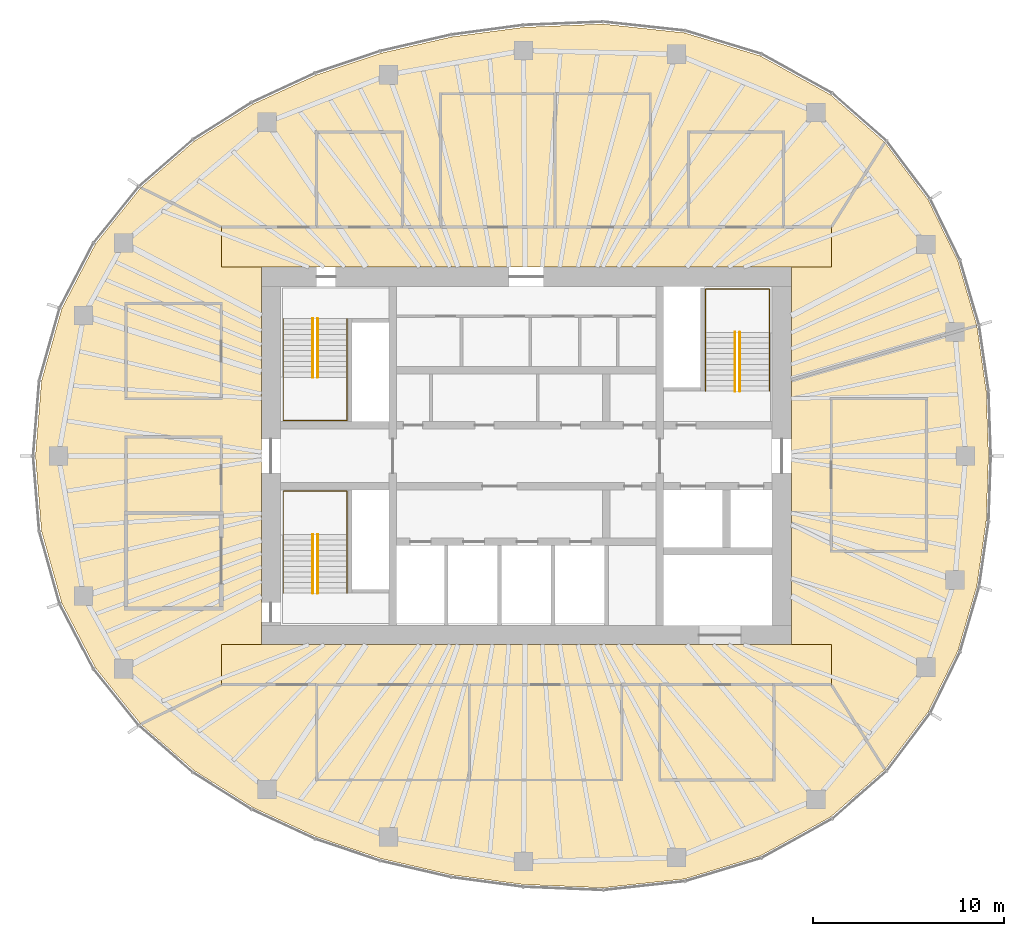
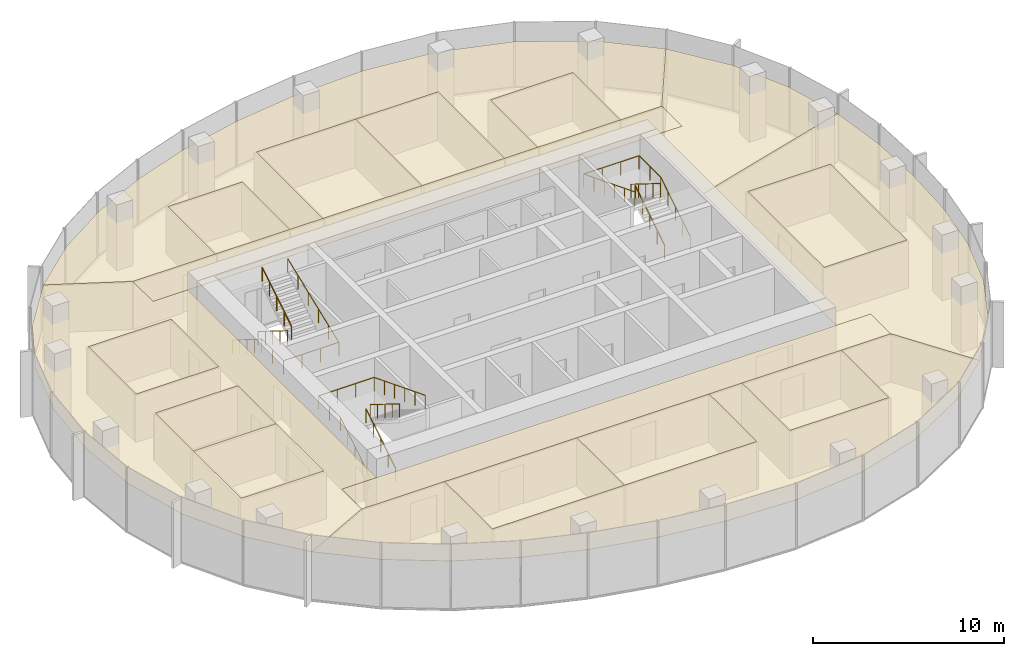
# One storey, part 11 of 11: 18 coverings, 9 railings.
"""IFC4 building model written with IfcOpenShell, lengths in metres."""

from ifc_helpers import new_model, si_unit, direction, frame, origin, origin_2d, place, context, subcontext, project, spatial, polyline, circle, outline, extrude, material, layer, layer_set, type_object, element, save


model = new_model("IFC4")

# Units and contexts
model_context = context("Model", 3, precision=1e-05, world=origin(), true_north=direction((0.0, 1.0)))
body_context = subcontext(model_context, "Body", "Model", "MODEL_VIEW")
ifc_project = project(units=[si_unit("LENGTHUNIT", "METRE"), si_unit("AREAUNIT", "SQUARE_METRE"), si_unit("VOLUMEUNIT", "CUBIC_METRE"), si_unit("PLANEANGLEUNIT", "RADIAN"), si_unit("MASSUNIT", "GRAM", prefix="KILO")], contexts=[model_context])

# Site, building, storey
site_placement = place(None, origin())
site = spatial("IfcSite", under=ifc_project, at=site_placement, CompositionType="ELEMENT")
building_placement = place(site_placement, origin())
building = spatial("IfcBuilding", under=site, at=building_placement, Name="Ghaith Harvest Tower", CompositionType="ELEMENT")
storey_placement = place(building_placement, frame((0.0, 0.0, 313.199951171875)))
storey = spatial("IfcBuildingStorey", under=building, at=storey_placement, Name="L70", CompositionType="ELEMENT", Elevation=313.199951171875)

# Coverings
ifc_material_1 = material(Name="Mineral fibre ceiling tile", Category="gypsum")
ifc_layer = layer(ifc_material_1, 0.02490234375)
ifc_layer_set = layer_set([ifc_layer], Name="CEILING C2")
covering_type = type_object("IfcCoveringType", Name="CEILING C2", PredefinedType="CEILING", material=ifc_layer_set)
covering_1_placement = place(storey_placement, frame((0.0, 0.0, 3.0)))
element("IfcCovering", 1, at=covering_1_placement, inside=storey, type_object=covering_type, Name="Ceiling L70-01", PredefinedType="CEILING", context=body_context, shape_type="SweptSolid", body=[
    extrude(outline(polyline([(-4.5, 12.0), (1.5, 12.0), (1.5, 19.0), (-4.5, 19.0), (-4.5, 12.0)])), origin(), (0.0, 0.0, 1.0), 0.025146484375),
])
covering_2_placement = place(storey_placement, frame((0.0, 0.0, 3.0)))
element("IfcCovering", 2, at=covering_2_placement, inside=storey, type_object=covering_type, Name="Ceiling L70-02", PredefinedType="CEILING", context=body_context, shape_type="SweptSolid", body=[
    extrude(outline(polyline([(1.5, 12.0), (6.5, 12.0), (6.5, 19.0), (1.5, 19.0), (1.5, 12.0)])), origin(), (0.0, 0.0, 1.0), 0.025146484375),
])
covering_3_placement = place(storey_placement, frame((0.0, 0.0, 3.0)))
element("IfcCovering", 3, at=covering_3_placement, inside=storey, type_object=covering_type, Name="Ceiling L70-03", PredefinedType="CEILING", context=body_context, shape_type="SweptSolid", body=[
    extrude(outline(polyline([(-11.0, -17.0), (-3.0, -17.0), (-3.0, -12.0), (-11.0, -12.0), (-11.0, -17.0)])), origin(), (0.0, 0.0, 1.0), 0.025146484375),
])
covering_4_placement = place(storey_placement, frame((0.0, 0.0, 3.0)))
element("IfcCovering", 4, at=covering_4_placement, inside=storey, type_object=covering_type, Name="Ceiling L70-04", PredefinedType="CEILING", context=body_context, shape_type="SweptSolid", body=[
    extrude(outline(polyline([(-3.0, -17.0), (5.0, -17.0), (5.0, -12.0), (-3.0, -12.0), (-3.0, -17.0)])), origin(), (0.0, 0.0, 1.0), 0.025146484375),
])
covering_5_placement = place(storey_placement, frame((0.0, 0.0, 3.0)))
element("IfcCovering", 5, at=covering_5_placement, inside=storey, type_object=covering_type, Name="Ceiling L70-05", PredefinedType="CEILING", context=body_context, shape_type="SweptSolid", body=[
    extrude(outline(polyline([(7.0, -17.0), (13.0, -17.0), (13.0, -12.0), (7.0, -12.0), (7.0, -17.0)])), origin(), (0.0, 0.0, 1.0), 0.025146484375),
])
covering_6_placement = place(storey_placement, frame((0.0, 0.0, 3.0)))
element("IfcCovering", 6, at=covering_6_placement, inside=storey, type_object=covering_type, Name="Ceiling L70-06", PredefinedType="CEILING", context=body_context, shape_type="SweptSolid", body=[
    extrude(outline(polyline([(-21.0, -8.0), (-16.0, -8.0), (-16.0, -3.0), (-21.0, -3.0), (-21.0, -8.0)])), origin(), (0.0, 0.0, 1.0), 0.025146484375),
])
covering_7_placement = place(storey_placement, frame((0.0, 0.0, 3.0)))
element("IfcCovering", 7, at=covering_7_placement, inside=storey, type_object=covering_type, Name="Ceiling L70-07", PredefinedType="CEILING", context=body_context, shape_type="SweptSolid", body=[
    extrude(outline(polyline([(-21.0, -3.0), (-16.0, -3.0), (-16.0, 1.0), (-21.0, 1.0), (-21.0, -3.0)])), origin(), (0.0, 0.0, 1.0), 0.025146484375),
])
covering_8_placement = place(storey_placement, frame((0.0, 0.0, 3.0)))
element("IfcCovering", 8, at=covering_8_placement, inside=storey, type_object=covering_type, Name="Ceiling L70-08", PredefinedType="CEILING", context=body_context, shape_type="SweptSolid", body=[
    extrude(outline(polyline([(16.0, -5.0), (21.0, -5.0), (21.0, 3.0), (16.0, 3.0), (16.0, -5.0)])), origin(), (0.0, 0.0, 1.0), 0.025146484375),
])
covering_9_placement = place(storey_placement, frame((0.0, 0.0, 3.0)))
element("IfcCovering", 9, at=covering_9_placement, inside=storey, type_object=covering_type, Name="Ceiling L70-09", PredefinedType="CEILING", context=body_context, shape_type="SweptSolid", body=[
    extrude(outline(polyline([(-11.0, 12.0), (-6.5, 12.0), (-6.5, 17.0), (-11.0, 17.0), (-11.0, 12.0)])), origin(), (0.0, 0.0, 1.0), 0.025146484375),
])
covering_10_placement = place(storey_placement, frame((0.0, 0.0, 3.0)))
element("IfcCovering", 10, at=covering_10_placement, inside=storey, type_object=covering_type, Name="Ceiling L70-10", PredefinedType="CEILING", context=body_context, shape_type="SweptSolid", body=[
    extrude(outline(polyline([(8.5, 12.0), (13.5, 12.0), (13.5, 17.0), (8.5, 17.0), (8.5, 12.0)])), origin(), (0.0, 0.0, 1.0), 0.025146484375),
])
covering_11_placement = place(storey_placement, frame((0.0, 0.0, 3.0)))
element("IfcCovering", 11, at=covering_11_placement, inside=storey, type_object=covering_type, Name="Ceiling L70-11", PredefinedType="CEILING", context=body_context, shape_type="SweptSolid", body=[
    extrude(outline(polyline([(-21.0, 3.0), (-16.0, 3.0), (-16.0, 8.0), (-21.0, 8.0), (-21.0, 3.0)])), origin(), (0.0, 0.0, 1.0), 0.025146484375),
])
covering_12_placement = place(storey_placement, frame((0.0, 0.0, 3.0)))
element("IfcCovering", 12, at=covering_12_placement, inside=storey, type_object=covering_type, Name="Ceiling L70-C1", PredefinedType="CEILING", context=body_context, shape_type="SweptSolid", body=[
    extrude(outline(polyline([(16.0, 9.89990234375), (-16.0, 9.89990234375), (-16.0, 12.0), (16.0, 12.0), (16.0, 9.89990234375)])), origin(), (0.0, 0.0, 1.0), 0.025146484375),
])
covering_13_placement = place(storey_placement, frame((0.0, 0.0, 3.0)))
element("IfcCovering", 13, at=covering_13_placement, inside=storey, type_object=covering_type, Name="Ceiling L70-C2", PredefinedType="CEILING", context=body_context, shape_type="SweptSolid", body=[
    extrude(outline(polyline([(-16.0, -9.89990234375), (16.0, -9.89990234375), (16.0, -12.0), (-16.0, -12.0), (-16.0, -9.89990234375)])), origin(), (0.0, 0.0, 1.0), 0.025146484375),
])
covering_14_placement = place(storey_placement, frame((0.0, 0.0, 3.0)))
element("IfcCovering", 14, at=covering_14_placement, inside=storey, type_object=covering_type, Name="Ceiling L70-N1", PredefinedType="CEILING", context=body_context, shape_type="SweptSolid", body=[
    extrude(outline(polyline([(-17.40771484375, 16.518310546875), (-14.331298828125, 18.452880859375), (-11.009521484375, 19.98779296875), (-7.6298828125, 21.12548828125), (-3.92529296875, 21.98046875), (-0.15380859375, 22.486083984375), (4.016845703125, 22.658447265625), (8.2978515625, 22.1962890625), (12.273681640625, 20.98828125), (15.971923828125, 18.940185546875), (18.810791015625, 16.4482421875), (16.0, 12.0), (13.5, 12.0), (13.5, 17.0), (8.5, 17.0), (8.5, 12.0), (6.5, 12.0), (6.5, 19.0), (-4.5, 19.0), (-4.5, 12.0), (-6.5, 12.0), (-6.5, 17.0), (-11.0, 17.0), (-11.0, 12.0), (-16.0, 12.0), (-20.225830078125, 14.0732421875), (-17.40771484375, 16.518310546875)])), origin(), (0.0, 0.0, 1.0), 0.025146484375),
])
covering_15_placement = place(storey_placement, frame((0.0, 0.0, 3.0)))
element("IfcCovering", 15, at=covering_15_placement, inside=storey, type_object=covering_type, Name="Ceiling L70-E1", PredefinedType="CEILING", context=body_context, shape_type="SweptSolid", body=[
    extrude(outline(polyline([(21.087890625, 13.42041015625), (22.644775390625, 10.222900390625), (23.6376953125, 6.831787109375), (21.71630859375, 6.276611328125), (13.89990234375, 4.0), (13.89990234375, 9.89990234375), (16.0, 9.89990234375), (16.0, 12.0), (18.810791015625, 16.4482421875), (21.087890625, 13.42041015625)])), origin(), (0.0, 0.0, 1.0), 0.025146484375),
])
covering_16_placement = place(storey_placement, frame((0.0, 0.0, 3.0)))
element("IfcCovering", 16, at=covering_16_placement, inside=storey, type_object=covering_type, Name="Ceiling L70-E2", PredefinedType="CEILING", context=body_context, shape_type="SweptSolid", body=[
    extrude(outline(polyline([(23.6376953125, 6.831787109375), (23.6376953125, 6.831787109375), (24.129150390625, 3.4169921875), (24.25, 0.0), (24.129150390625, -3.4169921875), (23.6376953125, -6.831787109375), (22.644775390625, -10.222900390625), (21.087890625, -13.42041015625), (18.810791015625, -16.4482421875), (16.0, -12.0), (16.0, -9.89990234375), (13.89990234375, -9.89990234375), (13.89990234375, 4.0), (21.71630859375, 6.276611328125), (23.6376953125, 6.831787109375)]), holes=[polyline([(21.0, 3.0), (16.0, 3.0), (16.0, -5.0), (21.0, -5.0), (21.0, 3.0)])]), origin(), (0.0, 0.0, 1.0), 0.025146484375),
])
covering_17_placement = place(storey_placement, frame((0.0, 0.0, 3.0)))
element("IfcCovering", 17, at=covering_17_placement, inside=storey, type_object=covering_type, Name="Ceiling L70-S1", PredefinedType="CEILING", context=body_context, shape_type="SweptSolid", body=[
    extrude(outline(polyline([(-14.331298828125, -18.452880859375), (-17.40771484375, -16.518310546875), (-20.225830078125, -14.0732421875), (-16.0, -12.0), (-11.0, -12.0), (-11.0, -17.0), (5.0, -17.0), (5.0, -12.0), (7.0, -12.0), (7.0, -17.0), (13.0, -17.0), (13.0, -12.0), (16.0, -12.0), (18.810791015625, -16.4482421875), (15.971923828125, -18.940185546875), (12.273681640625, -20.98828125), (8.2978515625, -22.1962890625), (4.016845703125, -22.658447265625), (-0.15380859375, -22.486083984375), (-3.92529296875, -21.98046875), (-7.6298828125, -21.12548828125), (-11.009521484375, -19.98779296875), (-14.331298828125, -18.452880859375)])), origin(), (0.0, 0.0, 1.0), 0.025146484375),
])
covering_18_placement = place(storey_placement, frame((0.0, 0.0, 3.0)))
element("IfcCovering", 18, at=covering_18_placement, inside=storey, type_object=covering_type, Name="Ceiling L70-W1", PredefinedType="CEILING", context=body_context, shape_type="SweptSolid", body=[
    extrude(outline(polyline([(-22.5986328125, -11.12353515625), (-24.368408203125, -7.722900390625), (-25.43310546875, -3.93359375), (-25.75, 0.0), (-25.43310546875, 3.93359375), (-24.368408203125, 7.722900390625), (-22.5986328125, 11.12353515625), (-20.225830078125, 14.0732421875), (-16.0, 12.0), (-16.0, 9.89990234375), (-13.89990234375, 9.89990234375), (-13.89990234375, -9.89990234375), (-16.0, -9.89990234375), (-16.0, -12.0), (-20.225830078125, -14.0732421875), (-22.5986328125, -11.12353515625)]), holes=[polyline([(-16.0, -8.0), (-16.0, 1.0), (-21.0, 1.0), (-21.0, -8.0), (-16.0, -8.0)]), polyline([(-21.0, 8.0), (-21.0, 3.0), (-16.0, 3.0), (-16.0, 8.0), (-21.0, 8.0)])]), origin(), (0.0, 0.0, 1.0), 0.025146484375),
])

# Railings
ifc_material_2 = material(Name="Steel, black powder-coated", Category="steel")
railing_type = type_object("IfcRailingType", Name="HANDRAIL HR1", PredefinedType="HANDRAIL", material=ifc_material_2)
railing_1_placement = place(storey_placement, frame((-11.199951171875, 7.199951171875, 0.175048828125)))
element("IfcRailing", 19, at=railing_1_placement, inside=storey, type_object=railing_type, Name="Handrail HR1 stair ST1 L70 flight 1 inner", PredefinedType="HANDRAIL", context=body_context, shape_type="SweptSolid", body=[
    extrude(circle(Radius=0.02392578125, at=origin_2d()), frame((0.0, 0.0, 0.8759765625), z_axis=(0.0, -0.847979421464, 0.530029150871), x_axis=(1.0, 0.0, 0.0)), (0.0, 0.0, 1.0), 3.632080078125),
    extrude(circle(Radius=0.02099609375, at=origin_2d()), origin(), (0.0, 0.0, 1.0), 0.851806640625),
    extrude(circle(Radius=0.02099609375, at=origin_2d()), frame((0.0, -0.77001953125, 0.481201171875)), (0.0, 0.0, 1.0), 0.851806640625),
    extrude(circle(Radius=0.02099609375, at=origin_2d()), frame((0.0, -1.5400390625, 0.96240234375)), (0.0, 0.0, 1.0), 0.851806640625),
    extrude(circle(Radius=0.02099609375, at=origin_2d()), frame((0.0, -2.309814453125, 1.44384765625)), (0.0, 0.0, 1.0), 0.851806640625),
    extrude(circle(Radius=0.02099609375, at=origin_2d()), frame((0.0, -3.079833984375, 1.925048828125)), (0.0, 0.0, 1.0), 0.851806640625),
])
railing_2_placement = place(storey_placement, frame((-10.949951171875, 4.1201171875, 2.275146484375)))
element("IfcRailing", 20, at=railing_2_placement, inside=storey, type_object=railing_type, Name="Handrail HR1 stair ST1 L70 flight 2 inner", PredefinedType="HANDRAIL", context=body_context, shape_type="SweptSolid", body=[
    extrude(circle(Radius=0.02392578125, at=origin_2d()), frame((0.0, 0.0, 0.8759765625), z_axis=(0.0, 0.848009633417, 0.529980812513), x_axis=(-1.0, 0.0, 0.0)), (0.0, 0.0, 1.0), 3.6318359375),
    extrude(circle(Radius=0.02099609375, at=origin_2d()), origin(), (0.0, 0.0, 1.0), 0.851806640625),
    extrude(circle(Radius=0.02099609375, at=origin_2d()), frame((0.0, 0.77001953125, 0.481201171875)), (0.0, 0.0, 1.0), 0.851806640625),
    extrude(circle(Radius=0.02099609375, at=origin_2d()), frame((0.0, 1.5400390625, 0.96240234375)), (0.0, 0.0, 1.0), 0.851806640625),
    extrude(circle(Radius=0.02099609375, at=origin_2d()), frame((0.0, 2.309814453125, 1.443603515625)), (0.0, 0.0, 1.0), 0.851806640625),
    extrude(circle(Radius=0.02099609375, at=origin_2d()), frame((0.0, 3.079833984375, 1.9248046875)), (0.0, 0.0, 1.0), 0.851806640625),
])
railing_3_placement = place(storey_placement, frame((-12.75, 7.199951171875, 0.175048828125)))
element("IfcRailing", 21, at=railing_3_placement, inside=storey, type_object=railing_type, Name="Handrail HR1 stair ST1 L70 wall side", PredefinedType="HANDRAIL", context=body_context, shape_type="SweptSolid", body=[
    extrude(circle(Radius=0.02392578125, at=origin_2d()), frame((0.0, 0.0, 0.8759765625), z_axis=(0.0, -0.847979421464, 0.530029150871), x_axis=(1.0, 0.0, 0.0)), (0.0, 0.0, 1.0), 3.632080078125),
    extrude(circle(Radius=0.02392578125, at=origin_2d()), frame((0.0, -3.079833984375, 2.80078125), z_axis=(0.0, -1.0, 0.0), x_axis=(1.0, 0.0, 0.0)), (0.0, 0.0, 1.0), 2.27001953125),
    extrude(circle(Radius=0.02392578125, at=origin_2d()), frame((0.0, -5.349853515625, 2.80078125), z_axis=(1.0, 0.0, 0.0), x_axis=(0.0, 1.0, 0.0)), (0.0, 0.0, 1.0), 3.35009765625),
    extrude(circle(Radius=0.02392578125, at=origin_2d()), frame((3.35009765625, -5.349853515625, 2.80078125), z_axis=(0.0, 0.930862461605, 0.365369781968), x_axis=(-1.0, 0.0, 0.0)), (0.0, 0.0, 1.0), 5.747314453125),
    extrude(circle(Radius=0.02099609375, at=origin_2d()), origin(), (0.0, 0.0, 1.0), 0.851806640625),
    extrude(circle(Radius=0.02099609375, at=origin_2d()), frame((0.0, -0.77001953125, 0.481201171875)), (0.0, 0.0, 1.0), 0.851806640625),
    extrude(circle(Radius=0.02099609375, at=origin_2d()), frame((0.0, -1.5400390625, 0.96240234375)), (0.0, 0.0, 1.0), 0.851806640625),
    extrude(circle(Radius=0.02099609375, at=origin_2d()), frame((0.0, -2.309814453125, 1.44384765625)), (0.0, 0.0, 1.0), 0.851806640625),
    extrude(circle(Radius=0.02099609375, at=origin_2d()), frame((0.0, -3.079833984375, 1.925048828125)), (0.0, 0.0, 1.0), 0.851806640625),
    extrude(circle(Radius=0.02099609375, at=origin_2d()), frame((0.0, -4.21484375, 1.925048828125)), (0.0, 0.0, 1.0), 0.851806640625),
    extrude(circle(Radius=0.02099609375, at=origin_2d()), frame((0.0, -5.349853515625, 1.925048828125)), (0.0, 0.0, 1.0), 0.851806640625),
    extrude(circle(Radius=0.02099609375, at=origin_2d()), frame((1.11669921875, -5.349853515625, 1.925048828125)), (0.0, 0.0, 1.0), 0.851806640625),
    extrude(circle(Radius=0.02099609375, at=origin_2d()), frame((2.2333984375, -5.349853515625, 1.925048828125)), (0.0, 0.0, 1.0), 0.851806640625),
    extrude(circle(Radius=0.02099609375, at=origin_2d()), frame((3.35009765625, -5.349853515625, 1.925048828125)), (0.0, 0.0, 1.0), 0.851806640625),
    extrude(circle(Radius=0.02099609375, at=origin_2d()), frame((3.35009765625, -4.27978515625, 2.344970703125)), (0.0, 0.0, 1.0), 0.851806640625),
    extrude(circle(Radius=0.02099609375, at=origin_2d()), frame((3.35009765625, -3.2099609375, 2.764892578125)), (0.0, 0.0, 1.0), 0.851806640625),
    extrude(circle(Radius=0.02099609375, at=origin_2d()), frame((3.35009765625, -2.139892578125, 3.18505859375)), (0.0, 0.0, 1.0), 0.851806640625),
    extrude(circle(Radius=0.02099609375, at=origin_2d()), frame((3.35009765625, -1.070068359375, 3.60498046875)), (0.0, 0.0, 1.0), 0.851806640625),
    extrude(circle(Radius=0.02099609375, at=origin_2d()), frame((3.35009765625, 0.0, 4.02490234375)), (0.0, 0.0, 1.0), 0.851806640625),
])
railing_4_placement = place(storey_placement, frame((-11.199951171875, -7.199951171875, 0.175048828125)))
element("IfcRailing", 22, at=railing_4_placement, inside=storey, type_object=railing_type, Name="Handrail HR1 stair ST3 L70 flight 1 inner", PredefinedType="HANDRAIL", context=body_context, shape_type="SweptSolid", body=[
    extrude(circle(Radius=0.02392578125, at=origin_2d()), frame((0.0, 0.0, 0.8759765625), z_axis=(0.0, 0.847979421464, 0.530029150871), x_axis=(-1.0, 0.0, 0.0)), (0.0, 0.0, 1.0), 3.632080078125),
    extrude(circle(Radius=0.02099609375, at=origin_2d()), origin(), (0.0, 0.0, 1.0), 0.851806640625),
    extrude(circle(Radius=0.02099609375, at=origin_2d()), frame((0.0, 0.77001953125, 0.481201171875)), (0.0, 0.0, 1.0), 0.851806640625),
    extrude(circle(Radius=0.02099609375, at=origin_2d()), frame((0.0, 1.5400390625, 0.96240234375)), (0.0, 0.0, 1.0), 0.851806640625),
    extrude(circle(Radius=0.02099609375, at=origin_2d()), frame((0.0, 2.309814453125, 1.44384765625)), (0.0, 0.0, 1.0), 0.851806640625),
    extrude(circle(Radius=0.02099609375, at=origin_2d()), frame((0.0, 3.079833984375, 1.925048828125)), (0.0, 0.0, 1.0), 0.851806640625),
])
railing_5_placement = place(storey_placement, frame((-10.949951171875, -4.1201171875, 2.275146484375)))
element("IfcRailing", 23, at=railing_5_placement, inside=storey, type_object=railing_type, Name="Handrail HR1 stair ST3 L70 flight 2 inner", PredefinedType="HANDRAIL", context=body_context, shape_type="SweptSolid", body=[
    extrude(circle(Radius=0.02392578125, at=origin_2d()), frame((0.0, 0.0, 0.8759765625), z_axis=(0.0, -0.848009633417, 0.529980812513), x_axis=(1.0, 0.0, 0.0)), (0.0, 0.0, 1.0), 3.6318359375),
    extrude(circle(Radius=0.02099609375, at=origin_2d()), origin(), (0.0, 0.0, 1.0), 0.851806640625),
    extrude(circle(Radius=0.02099609375, at=origin_2d()), frame((0.0, -0.77001953125, 0.481201171875)), (0.0, 0.0, 1.0), 0.851806640625),
    extrude(circle(Radius=0.02099609375, at=origin_2d()), frame((0.0, -1.5400390625, 0.96240234375)), (0.0, 0.0, 1.0), 0.851806640625),
    extrude(circle(Radius=0.02099609375, at=origin_2d()), frame((0.0, -2.309814453125, 1.443603515625)), (0.0, 0.0, 1.0), 0.851806640625),
    extrude(circle(Radius=0.02099609375, at=origin_2d()), frame((0.0, -3.079833984375, 1.9248046875)), (0.0, 0.0, 1.0), 0.851806640625),
])
railing_6_placement = place(storey_placement, frame((-12.75, -7.199951171875, 0.175048828125)))
element("IfcRailing", 24, at=railing_6_placement, inside=storey, type_object=railing_type, Name="Handrail HR1 stair ST3 L70 wall side", PredefinedType="HANDRAIL", context=body_context, shape_type="SweptSolid", body=[
    extrude(circle(Radius=0.02392578125, at=origin_2d()), frame((0.0, 0.0, 0.8759765625), z_axis=(0.0, 0.847979421464, 0.530029150871), x_axis=(-1.0, 0.0, 0.0)), (0.0, 0.0, 1.0), 3.632080078125),
    extrude(circle(Radius=0.02392578125, at=origin_2d()), frame((0.0, 3.079833984375, 2.80078125), z_axis=(0.0, 1.0, 0.0), x_axis=(-1.0, 0.0, 0.0)), (0.0, 0.0, 1.0), 2.27001953125),
    extrude(circle(Radius=0.02392578125, at=origin_2d()), frame((0.0, 5.349853515625, 2.80078125), z_axis=(1.0, 0.0, 0.0), x_axis=(0.0, 1.0, 0.0)), (0.0, 0.0, 1.0), 3.35009765625),
    extrude(circle(Radius=0.02392578125, at=origin_2d()), frame((3.35009765625, 5.349853515625, 2.80078125), z_axis=(0.0, -0.930862461605, 0.365369781968), x_axis=(1.0, 0.0, 0.0)), (0.0, 0.0, 1.0), 5.747314453125),
    extrude(circle(Radius=0.02099609375, at=origin_2d()), origin(), (0.0, 0.0, 1.0), 0.851806640625),
    extrude(circle(Radius=0.02099609375, at=origin_2d()), frame((0.0, 0.77001953125, 0.481201171875)), (0.0, 0.0, 1.0), 0.851806640625),
    extrude(circle(Radius=0.02099609375, at=origin_2d()), frame((0.0, 1.5400390625, 0.96240234375)), (0.0, 0.0, 1.0), 0.851806640625),
    extrude(circle(Radius=0.02099609375, at=origin_2d()), frame((0.0, 2.309814453125, 1.44384765625)), (0.0, 0.0, 1.0), 0.851806640625),
    extrude(circle(Radius=0.02099609375, at=origin_2d()), frame((0.0, 3.079833984375, 1.925048828125)), (0.0, 0.0, 1.0), 0.851806640625),
    extrude(circle(Radius=0.02099609375, at=origin_2d()), frame((0.0, 4.21484375, 1.925048828125)), (0.0, 0.0, 1.0), 0.851806640625),
    extrude(circle(Radius=0.02099609375, at=origin_2d()), frame((0.0, 5.349853515625, 1.925048828125)), (0.0, 0.0, 1.0), 0.851806640625),
    extrude(circle(Radius=0.02099609375, at=origin_2d()), frame((1.11669921875, 5.349853515625, 1.925048828125)), (0.0, 0.0, 1.0), 0.851806640625),
    extrude(circle(Radius=0.02099609375, at=origin_2d()), frame((2.2333984375, 5.349853515625, 1.925048828125)), (0.0, 0.0, 1.0), 0.851806640625),
    extrude(circle(Radius=0.02099609375, at=origin_2d()), frame((3.35009765625, 5.349853515625, 1.925048828125)), (0.0, 0.0, 1.0), 0.851806640625),
    extrude(circle(Radius=0.02099609375, at=origin_2d()), frame((3.35009765625, 4.27978515625, 2.344970703125)), (0.0, 0.0, 1.0), 0.851806640625),
    extrude(circle(Radius=0.02099609375, at=origin_2d()), frame((3.35009765625, 3.2099609375, 2.764892578125)), (0.0, 0.0, 1.0), 0.851806640625),
    extrude(circle(Radius=0.02099609375, at=origin_2d()), frame((3.35009765625, 2.139892578125, 3.18505859375)), (0.0, 0.0, 1.0), 0.851806640625),
    extrude(circle(Radius=0.02099609375, at=origin_2d()), frame((3.35009765625, 1.070068359375, 3.60498046875)), (0.0, 0.0, 1.0), 0.851806640625),
    extrude(circle(Radius=0.02099609375, at=origin_2d()), frame((3.35009765625, 0.0, 4.02490234375)), (0.0, 0.0, 1.0), 0.851806640625),
])
railing_7_placement = place(storey_placement, frame((11.199951171875, 3.39990234375, 0.175048828125)))
element("IfcRailing", 25, at=railing_7_placement, inside=storey, type_object=railing_type, Name="Handrail HR1 stair ST2 L70 flight 1 inner", PredefinedType="HANDRAIL", context=body_context, shape_type="SweptSolid", body=[
    extrude(circle(Radius=0.02392578125, at=origin_2d()), frame((0.0, 0.0, 0.8759765625), z_axis=(0.0, 0.847998304005, 0.529998940003), x_axis=(-1.0, 0.0, 0.0)), (0.0, 0.0, 1.0), 3.632080078125),
    extrude(circle(Radius=0.02099609375, at=origin_2d()), origin(), (0.0, 0.0, 1.0), 0.851806640625),
    extrude(circle(Radius=0.02099609375, at=origin_2d()), frame((0.0, 0.77001953125, 0.481201171875)), (0.0, 0.0, 1.0), 0.851806640625),
    extrude(circle(Radius=0.02099609375, at=origin_2d()), frame((0.0, 1.5400390625, 0.96240234375)), (0.0, 0.0, 1.0), 0.851806640625),
    extrude(circle(Radius=0.02099609375, at=origin_2d()), frame((0.0, 2.31005859375, 1.44384765625)), (0.0, 0.0, 1.0), 0.851806640625),
    extrude(circle(Radius=0.02099609375, at=origin_2d()), frame((0.0, 3.080078125, 1.925048828125)), (0.0, 0.0, 1.0), 0.851806640625),
])
railing_8_placement = place(storey_placement, frame((10.949951171875, 6.47998046875, 2.275146484375)))
element("IfcRailing", 26, at=railing_8_placement, inside=storey, type_object=railing_type, Name="Handrail HR1 stair ST2 L70 flight 2 inner", PredefinedType="HANDRAIL", context=body_context, shape_type="SweptSolid", body=[
    extrude(circle(Radius=0.02392578125, at=origin_2d()), frame((0.0, 0.0, 0.8759765625), z_axis=(0.0, -0.848028513186, 0.529950602248), x_axis=(1.0, 0.0, 0.0)), (0.0, 0.0, 1.0), 3.632080078125),
    extrude(circle(Radius=0.02099609375, at=origin_2d()), origin(), (0.0, 0.0, 1.0), 0.851806640625),
    extrude(circle(Radius=0.02099609375, at=origin_2d()), frame((0.0, -0.77001953125, 0.481201171875)), (0.0, 0.0, 1.0), 0.851806640625),
    extrude(circle(Radius=0.02099609375, at=origin_2d()), frame((0.0, -1.5400390625, 0.96240234375)), (0.0, 0.0, 1.0), 0.851806640625),
    extrude(circle(Radius=0.02099609375, at=origin_2d()), frame((0.0, -2.31005859375, 1.443603515625)), (0.0, 0.0, 1.0), 0.851806640625),
    extrude(circle(Radius=0.02099609375, at=origin_2d()), frame((0.0, -3.080078125, 1.9248046875)), (0.0, 0.0, 1.0), 0.851806640625),
])
railing_9_placement = place(storey_placement, frame((12.75, 3.39990234375, 0.175048828125)))
element("IfcRailing", 27, at=railing_9_placement, inside=storey, type_object=railing_type, Name="Handrail HR1 stair ST2 L70 wall side", PredefinedType="HANDRAIL", context=body_context, shape_type="SweptSolid", body=[
    extrude(circle(Radius=0.02392578125, at=origin_2d()), frame((0.0, 0.0, 0.8759765625), z_axis=(0.0, 0.847998304005, 0.529998940003), x_axis=(-1.0, 0.0, 0.0)), (0.0, 0.0, 1.0), 3.632080078125),
    extrude(circle(Radius=0.02392578125, at=origin_2d()), frame((0.0, 3.080078125, 2.80078125), z_axis=(0.0, 1.0, 0.0), x_axis=(-1.0, 0.0, 0.0)), (0.0, 0.0, 1.0), 2.27001953125),
    extrude(circle(Radius=0.02392578125, at=origin_2d()), frame((0.0, 5.35009765625, 2.80078125), z_axis=(-1.0, 0.0, 0.0), x_axis=(0.0, -1.0, 0.0)), (0.0, 0.0, 1.0), 3.35009765625),
    extrude(circle(Radius=0.02392578125, at=origin_2d()), frame((-3.35009765625, 5.35009765625, 2.80078125), z_axis=(0.0, -0.930868132128, 0.365355334692), x_axis=(1.0, 0.0, 0.0)), (0.0, 0.0, 1.0), 5.747314453125),
    extrude(circle(Radius=0.02099609375, at=origin_2d()), origin(), (0.0, 0.0, 1.0), 0.851806640625),
    extrude(circle(Radius=0.02099609375, at=origin_2d()), frame((0.0, 0.77001953125, 0.481201171875)), (0.0, 0.0, 1.0), 0.851806640625),
    extrude(circle(Radius=0.02099609375, at=origin_2d()), frame((0.0, 1.5400390625, 0.96240234375)), (0.0, 0.0, 1.0), 0.851806640625),
    extrude(circle(Radius=0.02099609375, at=origin_2d()), frame((0.0, 2.31005859375, 1.44384765625)), (0.0, 0.0, 1.0), 0.851806640625),
    extrude(circle(Radius=0.02099609375, at=origin_2d()), frame((0.0, 3.080078125, 1.925048828125)), (0.0, 0.0, 1.0), 0.851806640625),
    extrude(circle(Radius=0.02099609375, at=origin_2d()), frame((0.0, 4.215087890625, 1.925048828125)), (0.0, 0.0, 1.0), 0.851806640625),
    extrude(circle(Radius=0.02099609375, at=origin_2d()), frame((0.0, 5.35009765625, 1.925048828125)), (0.0, 0.0, 1.0), 0.851806640625),
    extrude(circle(Radius=0.02099609375, at=origin_2d()), frame((-1.11669921875, 5.35009765625, 1.925048828125)), (0.0, 0.0, 1.0), 0.851806640625),
    extrude(circle(Radius=0.02099609375, at=origin_2d()), frame((-2.2333984375, 5.35009765625, 1.925048828125)), (0.0, 0.0, 1.0), 0.851806640625),
    extrude(circle(Radius=0.02099609375, at=origin_2d()), frame((-3.35009765625, 5.35009765625, 1.925048828125)), (0.0, 0.0, 1.0), 0.851806640625),
    extrude(circle(Radius=0.02099609375, at=origin_2d()), frame((-3.35009765625, 4.280029296875, 2.344970703125)), (0.0, 0.0, 1.0), 0.851806640625),
    extrude(circle(Radius=0.02099609375, at=origin_2d()), frame((-3.35009765625, 3.2099609375, 2.764892578125)), (0.0, 0.0, 1.0), 0.851806640625),
    extrude(circle(Radius=0.02099609375, at=origin_2d()), frame((-3.35009765625, 2.14013671875, 3.18505859375)), (0.0, 0.0, 1.0), 0.851806640625),
    extrude(circle(Radius=0.02099609375, at=origin_2d()), frame((-3.35009765625, 1.070068359375, 3.60498046875)), (0.0, 0.0, 1.0), 0.851806640625),
    extrude(circle(Radius=0.02099609375, at=origin_2d()), frame((-3.35009765625, 0.0, 4.02490234375)), (0.0, 0.0, 1.0), 0.851806640625),
])

save(model, "model.ifc")
